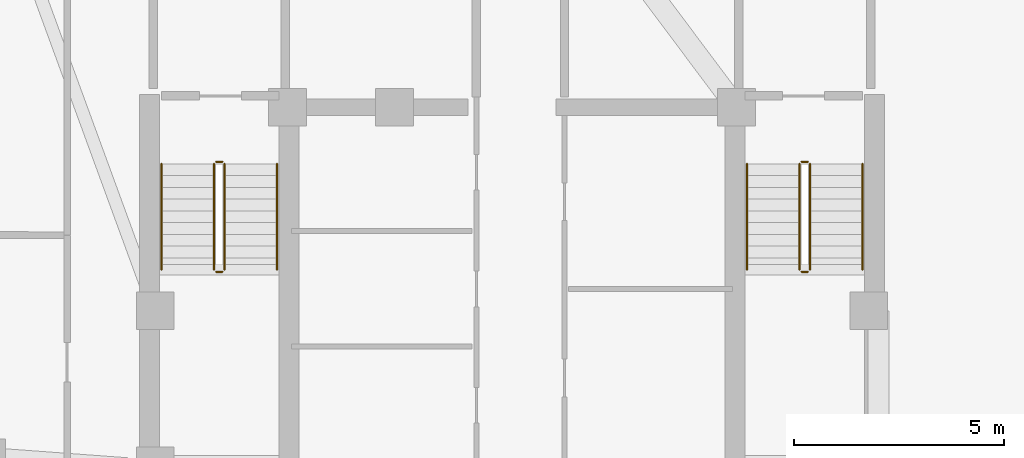
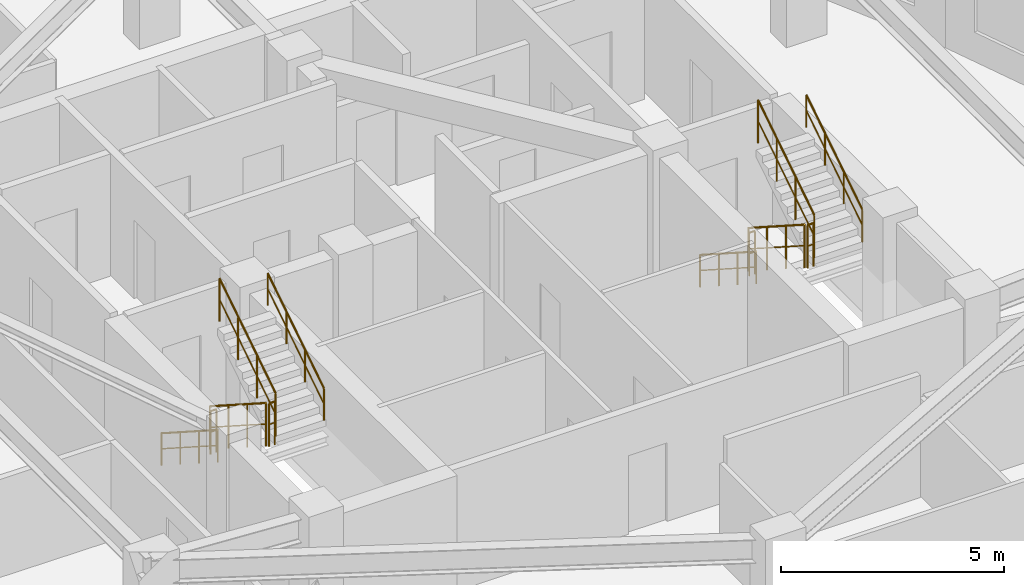
# One storey, part 10 of 10: 12 railings.
"""IFC4 building model written with IfcOpenShell, lengths in metres."""

from ifc_helpers import new_model, si_unit, direction, frame, origin, origin_2d, place, context, subcontext, project, spatial, circle, extrude, material, type_object, element, save


model = new_model("IFC4")

# Units and contexts
model_context = context("Model", 3, precision=1e-05, world=origin(), true_north=direction((0.0, 1.0)))
body_context = subcontext(model_context, "Body", "Model", "MODEL_VIEW")
ifc_project = project(units=[si_unit("LENGTHUNIT", "METRE"), si_unit("AREAUNIT", "SQUARE_METRE"), si_unit("VOLUMEUNIT", "CUBIC_METRE"), si_unit("PLANEANGLEUNIT", "RADIAN"), si_unit("MASSUNIT", "GRAM", prefix="KILO")], contexts=[model_context])

# Site, building, storey
site_placement = place(None, origin())
site = spatial("IfcSite", under=ifc_project, at=site_placement, CompositionType="ELEMENT")
building_placement = place(site_placement, origin())
building = spatial("IfcBuilding", under=site, at=building_placement, Name="Miruveldt Soraemaru", CompositionType="ELEMENT")
storey_placement = place(building_placement, frame((0.0, 0.0, 226.800048828125)))
storey = spatial("IfcBuildingStorey", under=building, at=storey_placement, Name="L62", CompositionType="ELEMENT", Elevation=226.800048828125)

# Railings
ifc_material = material(Name="Steel S355 (355 MPa)", Category="steel")
railing_type_1 = type_object("IfcRailingType", Name="RAIL-HR-900", PredefinedType="HANDRAIL", material=ifc_material)
railing_1_placement = place(storey_placement, frame((35.64990234375, 42.699951171875, 0.179931640625)))
element("IfcRailing", 1, at=railing_1_placement, inside=storey, type_object=railing_type_1, Name="L62 ST-1 stair handrail 1", PredefinedType="HANDRAIL", context=body_context, shape_type="SweptSolid", body=[
    extrude(circle(Radius=0.02392578125, at=origin_2d()), frame((0.0, 0.0, 0.8759765625), z_axis=(0.0, -0.841162588446, 0.540782303519), x_axis=(1.0, 0.0, 0.0)), (0.0, 0.0, 1.0), 2.995849609375),
    extrude(circle(Radius=0.01611328125, at=origin_2d()), frame((0.0, 0.0, 0.449951171875), z_axis=(0.0, -0.841162588446, 0.540782303519), x_axis=(1.0, 0.0, 0.0)), (0.0, 0.0, 1.0), 2.995849609375),
    extrude(circle(Radius=0.02099609375, at=origin_2d()), origin(), (0.0, 0.0, 1.0), 0.851806640625),
    extrude(circle(Radius=0.02099609375, at=origin_2d()), frame((0.0, -0.840087890625, 0.5400390625)), (0.0, 0.0, 1.0), 0.851806640625),
    extrude(circle(Radius=0.02099609375, at=origin_2d()), frame((0.0, -1.679931640625, 1.080078125)), (0.0, 0.0, 1.0), 0.851806640625),
    extrude(circle(Radius=0.02099609375, at=origin_2d()), frame((0.0, -2.52001953125, 1.6201171875)), (0.0, 0.0, 1.0), 0.851806640625),
])
railing_2_placement = place(storey_placement, frame((38.39990234375, 40.179931640625, 1.97998046875)))
element("IfcRailing", 2, at=railing_2_placement, inside=storey, type_object=railing_type_1, Name="L62 ST-1 stair handrail 2", PredefinedType="HANDRAIL", context=body_context, shape_type="SweptSolid", body=[
    extrude(circle(Radius=0.02392578125, at=origin_2d()), frame((0.0, 0.0, 0.8759765625), z_axis=(0.0, 0.841199657755, 0.540724639528), x_axis=(-1.0, 0.0, 0.0)), (0.0, 0.0, 1.0), 2.995849609375),
    extrude(circle(Radius=0.01611328125, at=origin_2d()), frame((0.0, 0.0, 0.449951171875), z_axis=(0.0, 0.841199657755, 0.540724639528), x_axis=(-1.0, 0.0, 0.0)), (0.0, 0.0, 1.0), 2.995849609375),
    extrude(circle(Radius=0.02099609375, at=origin_2d()), origin(), (0.0, 0.0, 1.0), 0.851806640625),
    extrude(circle(Radius=0.02099609375, at=origin_2d()), frame((0.0, 0.840087890625, 0.5400390625)), (0.0, 0.0, 1.0), 0.851806640625),
    extrude(circle(Radius=0.02099609375, at=origin_2d()), frame((0.0, 1.679931640625, 1.079833984375)), (0.0, 0.0, 1.0), 0.851806640625),
    extrude(circle(Radius=0.02099609375, at=origin_2d()), frame((0.0, 2.52001953125, 1.619873046875)), (0.0, 0.0, 1.0), 0.851806640625),
])
railing_3_placement = place(storey_placement, frame((49.60009765625, 42.699951171875, 0.179931640625)))
element("IfcRailing", 3, at=railing_3_placement, inside=storey, type_object=railing_type_1, Name="L62 ST-2 stair handrail 1", PredefinedType="HANDRAIL", context=body_context, shape_type="SweptSolid", body=[
    extrude(circle(Radius=0.02392578125, at=origin_2d()), frame((0.0, 0.0, 0.8759765625), z_axis=(0.0, -0.841162588446, 0.540782303519), x_axis=(1.0, 0.0, 0.0)), (0.0, 0.0, 1.0), 2.995849609375),
    extrude(circle(Radius=0.01611328125, at=origin_2d()), frame((0.0, 0.0, 0.449951171875), z_axis=(0.0, -0.841162588446, 0.540782303519), x_axis=(1.0, 0.0, 0.0)), (0.0, 0.0, 1.0), 2.995849609375),
    extrude(circle(Radius=0.02099609375, at=origin_2d()), origin(), (0.0, 0.0, 1.0), 0.851806640625),
    extrude(circle(Radius=0.02099609375, at=origin_2d()), frame((0.0, -0.840087890625, 0.5400390625)), (0.0, 0.0, 1.0), 0.851806640625),
    extrude(circle(Radius=0.02099609375, at=origin_2d()), frame((0.0, -1.679931640625, 1.080078125)), (0.0, 0.0, 1.0), 0.851806640625),
    extrude(circle(Radius=0.02099609375, at=origin_2d()), frame((0.0, -2.52001953125, 1.6201171875)), (0.0, 0.0, 1.0), 0.851806640625),
])
railing_4_placement = place(storey_placement, frame((52.35009765625, 40.179931640625, 1.97998046875)))
element("IfcRailing", 4, at=railing_4_placement, inside=storey, type_object=railing_type_1, Name="L62 ST-2 stair handrail 2", PredefinedType="HANDRAIL", context=body_context, shape_type="SweptSolid", body=[
    extrude(circle(Radius=0.02392578125, at=origin_2d()), frame((0.0, 0.0, 0.8759765625), z_axis=(0.0, 0.841199657755, 0.540724639528), x_axis=(-1.0, 0.0, 0.0)), (0.0, 0.0, 1.0), 2.995849609375),
    extrude(circle(Radius=0.01611328125, at=origin_2d()), frame((0.0, 0.0, 0.449951171875), z_axis=(0.0, 0.841199657755, 0.540724639528), x_axis=(-1.0, 0.0, 0.0)), (0.0, 0.0, 1.0), 2.995849609375),
    extrude(circle(Radius=0.02099609375, at=origin_2d()), origin(), (0.0, 0.0, 1.0), 0.851806640625),
    extrude(circle(Radius=0.02099609375, at=origin_2d()), frame((0.0, 0.840087890625, 0.5400390625)), (0.0, 0.0, 1.0), 0.851806640625),
    extrude(circle(Radius=0.02099609375, at=origin_2d()), frame((0.0, 1.679931640625, 1.079833984375)), (0.0, 0.0, 1.0), 0.851806640625),
    extrude(circle(Radius=0.02099609375, at=origin_2d()), frame((0.0, 2.52001953125, 1.619873046875)), (0.0, 0.0, 1.0), 0.851806640625),
])
railing_type_2 = type_object("IfcRailingType", Name="RAIL-STGUARD-1200", PredefinedType="GUARDRAIL", material=ifc_material)
railing_5_placement = place(storey_placement, frame((36.89990234375, 42.699951171875, 0.179931640625)))
element("IfcRailing", 5, at=railing_5_placement, inside=storey, type_object=railing_type_2, Name="L62 ST-1 stair guard 1", PredefinedType="GUARDRAIL", context=body_context, shape_type="SweptSolid", body=[
    extrude(circle(Radius=0.02392578125, at=origin_2d()), frame((0.0, 0.0, 1.17578125), z_axis=(0.0, -0.841162588446, 0.540782303519), x_axis=(1.0, 0.0, 0.0)), (0.0, 0.0, 1.0), 2.995849609375),
    extrude(circle(Radius=0.01611328125, at=origin_2d()), frame((0.0, 0.0, 0.60009765625), z_axis=(0.0, -0.841162588446, 0.540782303519), x_axis=(1.0, 0.0, 0.0)), (0.0, 0.0, 1.0), 2.995849609375),
    extrude(circle(Radius=0.02099609375, at=origin_2d()), origin(), (0.0, 0.0, 1.0), 1.15185546875),
    extrude(circle(Radius=0.02099609375, at=origin_2d()), frame((0.0, -0.840087890625, 0.5400390625)), (0.0, 0.0, 1.0), 1.15185546875),
    extrude(circle(Radius=0.02099609375, at=origin_2d()), frame((0.0, -1.679931640625, 1.080078125)), (0.0, 0.0, 1.0), 1.15185546875),
    extrude(circle(Radius=0.02099609375, at=origin_2d()), frame((0.0, -2.52001953125, 1.6201171875)), (0.0, 0.0, 1.0), 1.15185546875),
])
railing_6_placement = place(storey_placement, frame((36.949951171875, 40.1298828125, 1.800048828125)))
element("IfcRailing", 6, at=railing_6_placement, inside=storey, type_object=railing_type_2, Name="L62 ST-1 stair guard 2", PredefinedType="GUARDRAIL", context=body_context, shape_type="SweptSolid", body=[
    extrude(circle(Radius=0.02392578125, at=origin_2d()), frame((0.0, 0.0, 1.17578125), z_axis=(1.0, 0.0, 0.0), x_axis=(0.0, 1.0, 0.0)), (0.0, 0.0, 1.0), 0.150146484375),
    extrude(circle(Radius=0.01611328125, at=origin_2d()), frame((0.0, 0.0, 0.60009765625), z_axis=(1.0, 0.0, 0.0), x_axis=(0.0, 1.0, 0.0)), (0.0, 0.0, 1.0), 0.150146484375),
    extrude(circle(Radius=0.02099609375, at=origin_2d()), origin(), (0.0, 0.0, 1.0), 1.15185546875),
    extrude(circle(Radius=0.02099609375, at=origin_2d()), frame((0.150146484375, 0.0, 0.0)), (0.0, 0.0, 1.0), 1.15185546875),
])
railing_7_placement = place(storey_placement, frame((37.14990234375, 40.179931640625, 1.97998046875)))
element("IfcRailing", 7, at=railing_7_placement, inside=storey, type_object=railing_type_2, Name="L62 ST-1 stair guard 3", PredefinedType="GUARDRAIL", context=body_context, shape_type="SweptSolid", body=[
    extrude(circle(Radius=0.02392578125, at=origin_2d()), frame((0.0, 0.0, 1.17578125), z_axis=(0.0, 0.841199657755, 0.540724639528), x_axis=(-1.0, 0.0, 0.0)), (0.0, 0.0, 1.0), 2.995849609375),
    extrude(circle(Radius=0.01611328125, at=origin_2d()), frame((0.0, 0.0, 0.60009765625), z_axis=(0.0, 0.841199657755, 0.540724639528), x_axis=(-1.0, 0.0, 0.0)), (0.0, 0.0, 1.0), 2.995849609375),
    extrude(circle(Radius=0.02099609375, at=origin_2d()), origin(), (0.0, 0.0, 1.0), 1.15185546875),
    extrude(circle(Radius=0.02099609375, at=origin_2d()), frame((0.0, 0.840087890625, 0.5400390625)), (0.0, 0.0, 1.0), 1.15185546875),
    extrude(circle(Radius=0.02099609375, at=origin_2d()), frame((0.0, 1.679931640625, 1.079833984375)), (0.0, 0.0, 1.0), 1.15185546875),
    extrude(circle(Radius=0.02099609375, at=origin_2d()), frame((0.0, 2.52001953125, 1.619873046875)), (0.0, 0.0, 1.0), 1.15185546875),
])
railing_8_placement = place(storey_placement, frame((36.949951171875, 42.75, 0.0)))
element("IfcRailing", 8, at=railing_8_placement, inside=storey, type_object=railing_type_2, Name="L62 ST-1 stair guard 4", PredefinedType="GUARDRAIL", context=body_context, shape_type="SweptSolid", body=[
    extrude(circle(Radius=0.02392578125, at=origin_2d()), frame((0.0, 0.0, 1.17578125), z_axis=(1.0, 0.0, 0.0), x_axis=(0.0, 1.0, 0.0)), (0.0, 0.0, 1.0), 0.150146484375),
    extrude(circle(Radius=0.01611328125, at=origin_2d()), frame((0.0, 0.0, 0.60009765625), z_axis=(1.0, 0.0, 0.0), x_axis=(0.0, 1.0, 0.0)), (0.0, 0.0, 1.0), 0.150146484375),
    extrude(circle(Radius=0.02099609375, at=origin_2d()), origin(), (0.0, 0.0, 1.0), 1.15185546875),
    extrude(circle(Radius=0.02099609375, at=origin_2d()), frame((0.150146484375, 0.0, 0.0)), (0.0, 0.0, 1.0), 1.15185546875),
])
railing_9_placement = place(storey_placement, frame((50.85009765625, 42.699951171875, 0.179931640625)))
element("IfcRailing", 9, at=railing_9_placement, inside=storey, type_object=railing_type_2, Name="L62 ST-2 stair guard 1", PredefinedType="GUARDRAIL", context=body_context, shape_type="SweptSolid", body=[
    extrude(circle(Radius=0.02392578125, at=origin_2d()), frame((0.0, 0.0, 1.17578125), z_axis=(0.0, -0.841162588446, 0.540782303519), x_axis=(1.0, 0.0, 0.0)), (0.0, 0.0, 1.0), 2.995849609375),
    extrude(circle(Radius=0.01611328125, at=origin_2d()), frame((0.0, 0.0, 0.60009765625), z_axis=(0.0, -0.841162588446, 0.540782303519), x_axis=(1.0, 0.0, 0.0)), (0.0, 0.0, 1.0), 2.995849609375),
    extrude(circle(Radius=0.02099609375, at=origin_2d()), origin(), (0.0, 0.0, 1.0), 1.15185546875),
    extrude(circle(Radius=0.02099609375, at=origin_2d()), frame((0.0, -0.840087890625, 0.5400390625)), (0.0, 0.0, 1.0), 1.15185546875),
    extrude(circle(Radius=0.02099609375, at=origin_2d()), frame((0.0, -1.679931640625, 1.080078125)), (0.0, 0.0, 1.0), 1.15185546875),
    extrude(circle(Radius=0.02099609375, at=origin_2d()), frame((0.0, -2.52001953125, 1.6201171875)), (0.0, 0.0, 1.0), 1.15185546875),
])
railing_10_placement = place(storey_placement, frame((50.89990234375, 40.1298828125, 1.800048828125)))
element("IfcRailing", 10, at=railing_10_placement, inside=storey, type_object=railing_type_2, Name="L62 ST-2 stair guard 2", PredefinedType="GUARDRAIL", context=body_context, shape_type="SweptSolid", body=[
    extrude(circle(Radius=0.02392578125, at=origin_2d()), frame((0.0, 0.0, 1.17578125), z_axis=(1.0, 0.0, 0.0), x_axis=(0.0, 1.0, 0.0)), (0.0, 0.0, 1.0), 0.150146484375),
    extrude(circle(Radius=0.01611328125, at=origin_2d()), frame((0.0, 0.0, 0.60009765625), z_axis=(1.0, 0.0, 0.0), x_axis=(0.0, 1.0, 0.0)), (0.0, 0.0, 1.0), 0.150146484375),
    extrude(circle(Radius=0.02099609375, at=origin_2d()), origin(), (0.0, 0.0, 1.0), 1.15185546875),
    extrude(circle(Radius=0.02099609375, at=origin_2d()), frame((0.150146484375, 0.0, 0.0)), (0.0, 0.0, 1.0), 1.15185546875),
])
railing_11_placement = place(storey_placement, frame((51.10009765625, 40.179931640625, 1.97998046875)))
element("IfcRailing", 11, at=railing_11_placement, inside=storey, type_object=railing_type_2, Name="L62 ST-2 stair guard 3", PredefinedType="GUARDRAIL", context=body_context, shape_type="SweptSolid", body=[
    extrude(circle(Radius=0.02392578125, at=origin_2d()), frame((0.0, 0.0, 1.17578125), z_axis=(0.0, 0.841199657755, 0.540724639528), x_axis=(-1.0, 0.0, 0.0)), (0.0, 0.0, 1.0), 2.995849609375),
    extrude(circle(Radius=0.01611328125, at=origin_2d()), frame((0.0, 0.0, 0.60009765625), z_axis=(0.0, 0.841199657755, 0.540724639528), x_axis=(-1.0, 0.0, 0.0)), (0.0, 0.0, 1.0), 2.995849609375),
    extrude(circle(Radius=0.02099609375, at=origin_2d()), origin(), (0.0, 0.0, 1.0), 1.15185546875),
    extrude(circle(Radius=0.02099609375, at=origin_2d()), frame((0.0, 0.840087890625, 0.5400390625)), (0.0, 0.0, 1.0), 1.15185546875),
    extrude(circle(Radius=0.02099609375, at=origin_2d()), frame((0.0, 1.679931640625, 1.079833984375)), (0.0, 0.0, 1.0), 1.15185546875),
    extrude(circle(Radius=0.02099609375, at=origin_2d()), frame((0.0, 2.52001953125, 1.619873046875)), (0.0, 0.0, 1.0), 1.15185546875),
])
railing_12_placement = place(storey_placement, frame((50.89990234375, 42.75, 0.0)))
element("IfcRailing", 12, at=railing_12_placement, inside=storey, type_object=railing_type_2, Name="L62 ST-2 stair guard 4", PredefinedType="GUARDRAIL", context=body_context, shape_type="SweptSolid", body=[
    extrude(circle(Radius=0.02392578125, at=origin_2d()), frame((0.0, 0.0, 1.17578125), z_axis=(1.0, 0.0, 0.0), x_axis=(0.0, 1.0, 0.0)), (0.0, 0.0, 1.0), 0.150146484375),
    extrude(circle(Radius=0.01611328125, at=origin_2d()), frame((0.0, 0.0, 0.60009765625), z_axis=(1.0, 0.0, 0.0), x_axis=(0.0, 1.0, 0.0)), (0.0, 0.0, 1.0), 0.150146484375),
    extrude(circle(Radius=0.02099609375, at=origin_2d()), origin(), (0.0, 0.0, 1.0), 1.15185546875),
    extrude(circle(Radius=0.02099609375, at=origin_2d()), frame((0.150146484375, 0.0, 0.0)), (0.0, 0.0, 1.0), 1.15185546875),
])

save(model, "model.ifc")
